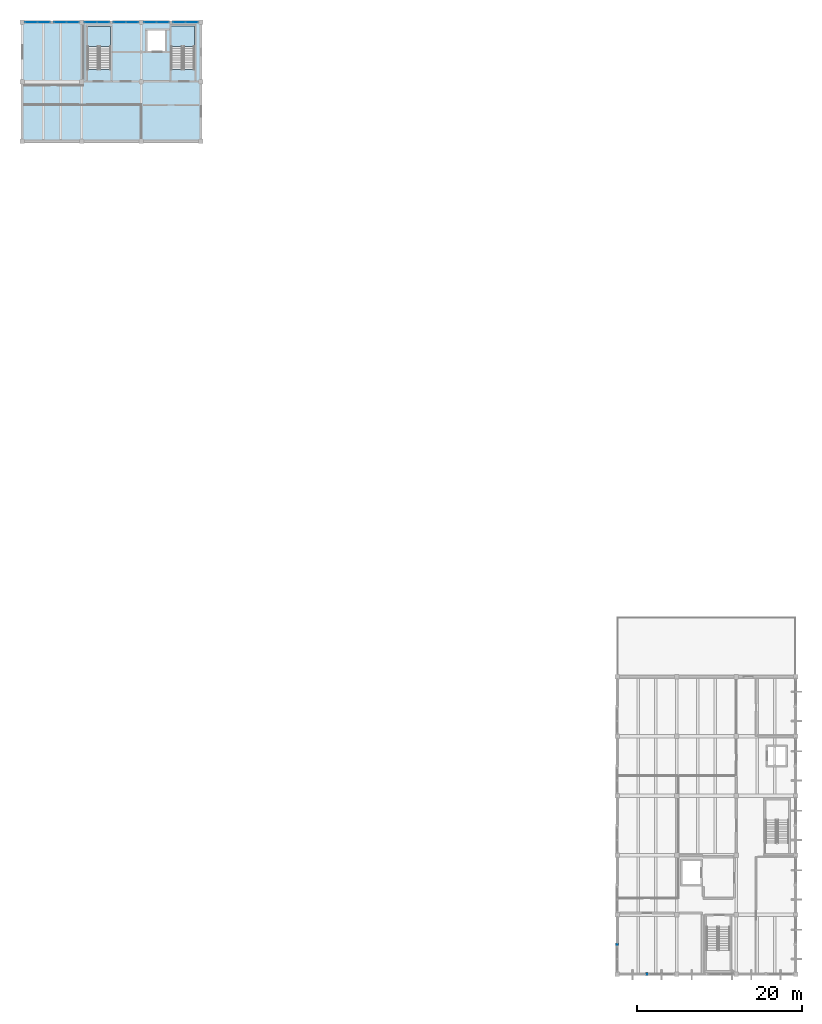
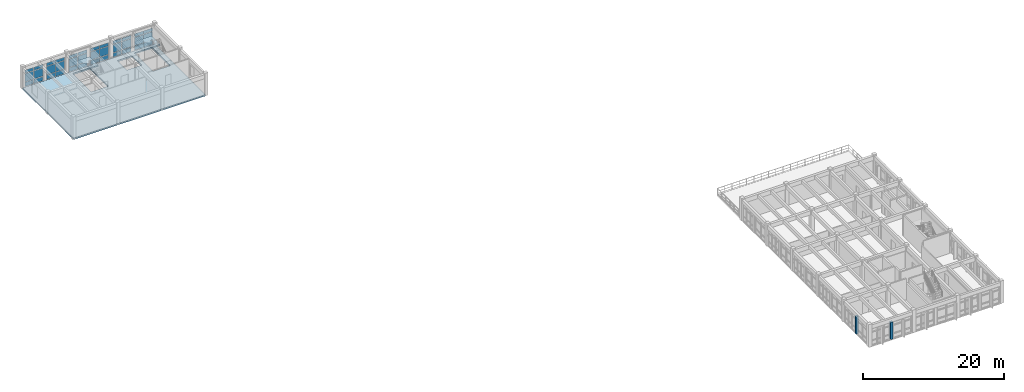
# One storey, part 15 of 22: 36 plates, 3 slabs, 2 walls, 8 elements without a shape of their own.
"""IFC4 building model written with IfcOpenShell, lengths in metres."""

from ifc_helpers import new_model, si_unit, direction, frame, frame_2d, origin, origin_2d, place, context, subcontext, project, spatial, polyline, rectangle, outline, extrude, material, layer, layer_set, type_object, element, aggregate, save


model = new_model("IFC4")

# Units and contexts
model_context = context("Model", 3, precision=1e-05, world=origin(), true_north=direction((0.0, 1.0)))
body_context = subcontext(model_context, "Body", "Model", "MODEL_VIEW")
ifc_project = project(units=[si_unit("LENGTHUNIT", "METRE"), si_unit("AREAUNIT", "SQUARE_METRE"), si_unit("VOLUMEUNIT", "CUBIC_METRE"), si_unit("PLANEANGLEUNIT", "RADIAN"), si_unit("MASSUNIT", "GRAM", prefix="KILO")], contexts=[model_context])

# Site, building, storey
site_placement = place(None, origin())
site = spatial("IfcSite", under=ifc_project, at=site_placement, CompositionType="ELEMENT")
building_placement = place(site_placement, origin())
building = spatial("IfcBuilding", under=site, at=building_placement, Name="Koriwan Promenade Central Fire Station", CompositionType="ELEMENT")
storey_placement = place(building_placement, frame((0.0, 0.0, 17.39990234375)))
storey = spatial("IfcBuildingStorey", under=building, at=storey_placement, Name="L04", CompositionType="ELEMENT", Elevation=17.39990234375)

# Curtain wall, plates
ifc_material_1 = material(Name="Aluminium EN AW-6063-T6 and low-E glazing", Category="aluminium")
ifc_layer_1 = layer(ifc_material_1, 0.159912109375, Name="Aluminium EN AW-6063-T6 and low-E glazing")
ifc_layer_set_1 = layer_set([ifc_layer_1], Name="Aluminium EN AW-6063-T6 and low-E glazing")
curtain_wall_type_1 = type_object("IfcCurtainWallType", Name="CurtainWall_14_312x299", PredefinedType="USERDEFINED", material=ifc_layer_set_1)
curtain_wall_1_placement = place(storey_placement, origin())
curtain_wall_1 = element("IfcCurtainWall", 1, at=curtain_wall_1_placement, inside=storey, type_object=curtain_wall_type_1, Name="V2 L04 unitised curtain wall 040", ObjectType="UNITISED CURTAIN WALL", PredefinedType="USERDEFINED")
ifc_material_2 = material(Name="Low-E laminated double glazing", Category="glass")
ifc_layer_2 = layer(ifc_material_2, 0.028076171875, Name="Low-E laminated double glazing")
ifc_layer_set_2 = layer_set([ifc_layer_2], Name="Low-E laminated double glazing")
plate_type_1 = type_object("IfcPlateType", Name="CWPanel_28", PredefinedType="CURTAIN_PANEL", material=ifc_layer_set_2)
plate_1_placement = place(storey_placement, frame((96.19873046875, 115.199951171875, 0.080078125), z_axis=(0.0, 0.0, 1.0), x_axis=(-1.0, 0.0, 0.0)))
plate_1 = element("IfcPlate", 2, at=plate_1_placement, type_object=plate_type_1, Name="CW-14 panel 1.1", PredefinedType="CURTAIN_PANEL", context=body_context, shape_type="SweptSolid", body=[
    extrude(rectangle(XDim=1.4423828125, YDim=0.028076171875, at=origin_2d()), origin(), (0.0, 0.0, 1.0), 0.72998046875),
])
plate_2_placement = place(storey_placement, frame((96.19873046875, 115.199951171875, 0.89013671875), z_axis=(0.0, 0.0, 1.0), x_axis=(-1.0, 0.0, 0.0)))
plate_2 = element("IfcPlate", 3, at=plate_2_placement, type_object=plate_type_1, Name="CW-14 panel 1.2", PredefinedType="CURTAIN_PANEL", context=body_context, shape_type="SweptSolid", body=[
    extrude(rectangle(XDim=1.4423828125, YDim=0.028076171875, at=origin_2d()), origin(), (0.0, 0.0, 1.0), 1.409912109375),
])
plate_3_placement = place(storey_placement, frame((96.19873046875, 115.199951171875, 2.3798828125), z_axis=(0.0, 0.0, 1.0), x_axis=(-1.0, 0.0, 0.0)))
plate_3 = element("IfcPlate", 4, at=plate_3_placement, type_object=plate_type_1, Name="CW-14 panel 1.3", PredefinedType="CURTAIN_PANEL", context=body_context, shape_type="SweptSolid", body=[
    extrude(rectangle(XDim=1.4423828125, YDim=0.028076171875, at=origin_2d()), origin(), (0.0, 0.0, 1.0), 0.530029296875),
])
plate_4_placement = place(storey_placement, frame((94.67626953125, 115.199951171875, 0.080078125), z_axis=(0.0, 0.0, 1.0), x_axis=(-1.0, 0.0, 0.0)))
plate_4 = element("IfcPlate", 5, at=plate_4_placement, type_object=plate_type_1, Name="CW-14 panel 2.1", PredefinedType="CURTAIN_PANEL", context=body_context, shape_type="SweptSolid", body=[
    extrude(rectangle(XDim=1.4423828125, YDim=0.028076171875, at=origin_2d()), origin(), (0.0, 0.0, 1.0), 0.72998046875),
])
plate_5_placement = place(storey_placement, frame((94.67626953125, 115.199951171875, 0.89013671875), z_axis=(0.0, 0.0, 1.0), x_axis=(-1.0, 0.0, 0.0)))
plate_5 = element("IfcPlate", 6, at=plate_5_placement, type_object=plate_type_1, Name="CW-14 panel 2.2", PredefinedType="CURTAIN_PANEL", context=body_context, shape_type="SweptSolid", body=[
    extrude(rectangle(XDim=1.4423828125, YDim=0.028076171875, at=origin_2d()), origin(), (0.0, 0.0, 1.0), 1.409912109375),
])
plate_6_placement = place(storey_placement, frame((94.67626953125, 115.199951171875, 2.3798828125), z_axis=(0.0, 0.0, 1.0), x_axis=(-1.0, 0.0, 0.0)))
plate_6 = element("IfcPlate", 7, at=plate_6_placement, type_object=plate_type_1, Name="CW-14 panel 2.3", PredefinedType="CURTAIN_PANEL", context=body_context, shape_type="SweptSolid", body=[
    extrude(rectangle(XDim=1.4423828125, YDim=0.028076171875, at=origin_2d()), origin(), (0.0, 0.0, 1.0), 0.530029296875),
])
aggregate(curtain_wall_1, [plate_1, plate_2, plate_3, plate_4, plate_5, plate_6])

curtain_wall_2_placement = place(storey_placement, origin())
curtain_wall_2 = element("IfcCurtainWall", 8, at=curtain_wall_2_placement, inside=storey, type_object=curtain_wall_type_1, Name="V2 L04 unitised curtain wall 042", ObjectType="UNITISED CURTAIN WALL", PredefinedType="USERDEFINED")
plate_7_placement = place(storey_placement, frame((88.998779296875, 115.199951171875, 0.080078125), z_axis=(0.0, 0.0, 1.0), x_axis=(-1.0, 0.0, 0.0)))
plate_7 = element("IfcPlate", 9, at=plate_7_placement, type_object=plate_type_1, Name="CW-14 panel 1.1", PredefinedType="CURTAIN_PANEL", context=body_context, shape_type="SweptSolid", body=[
    extrude(rectangle(XDim=1.4423828125, YDim=0.028076171875, at=origin_2d()), origin(), (0.0, 0.0, 1.0), 0.72998046875),
])
plate_8_placement = place(storey_placement, frame((88.998779296875, 115.199951171875, 0.89013671875), z_axis=(0.0, 0.0, 1.0), x_axis=(-1.0, 0.0, 0.0)))
plate_8 = element("IfcPlate", 10, at=plate_8_placement, type_object=plate_type_1, Name="CW-14 panel 1.2", PredefinedType="CURTAIN_PANEL", context=body_context, shape_type="SweptSolid", body=[
    extrude(rectangle(XDim=1.4423828125, YDim=0.028076171875, at=origin_2d()), origin(), (0.0, 0.0, 1.0), 1.409912109375),
])
plate_9_placement = place(storey_placement, frame((88.998779296875, 115.199951171875, 2.3798828125), z_axis=(0.0, 0.0, 1.0), x_axis=(-1.0, 0.0, 0.0)))
plate_9 = element("IfcPlate", 11, at=plate_9_placement, type_object=plate_type_1, Name="CW-14 panel 1.3", PredefinedType="CURTAIN_PANEL", context=body_context, shape_type="SweptSolid", body=[
    extrude(rectangle(XDim=1.4423828125, YDim=0.028076171875, at=origin_2d()), origin(), (0.0, 0.0, 1.0), 0.530029296875),
])
plate_10_placement = place(storey_placement, frame((87.476318359375, 115.199951171875, 0.080078125), z_axis=(0.0, 0.0, 1.0), x_axis=(-1.0, 0.0, 0.0)))
plate_10 = element("IfcPlate", 12, at=plate_10_placement, type_object=plate_type_1, Name="CW-14 panel 2.1", PredefinedType="CURTAIN_PANEL", context=body_context, shape_type="SweptSolid", body=[
    extrude(rectangle(XDim=1.4423828125, YDim=0.028076171875, at=origin_2d()), origin(), (0.0, 0.0, 1.0), 0.72998046875),
])
plate_11_placement = place(storey_placement, frame((87.476318359375, 115.199951171875, 0.89013671875), z_axis=(0.0, 0.0, 1.0), x_axis=(-1.0, 0.0, 0.0)))
plate_11 = element("IfcPlate", 13, at=plate_11_placement, type_object=plate_type_1, Name="CW-14 panel 2.2", PredefinedType="CURTAIN_PANEL", context=body_context, shape_type="SweptSolid", body=[
    extrude(rectangle(XDim=1.4423828125, YDim=0.028076171875, at=origin_2d()), origin(), (0.0, 0.0, 1.0), 1.409912109375),
])
plate_12_placement = place(storey_placement, frame((87.476318359375, 115.199951171875, 2.3798828125), z_axis=(0.0, 0.0, 1.0), x_axis=(-1.0, 0.0, 0.0)))
plate_12 = element("IfcPlate", 14, at=plate_12_placement, type_object=plate_type_1, Name="CW-14 panel 2.3", PredefinedType="CURTAIN_PANEL", context=body_context, shape_type="SweptSolid", body=[
    extrude(rectangle(XDim=1.4423828125, YDim=0.028076171875, at=origin_2d()), origin(), (0.0, 0.0, 1.0), 0.530029296875),
])
aggregate(curtain_wall_2, [plate_7, plate_8, plate_9, plate_10, plate_11, plate_12])

curtain_wall_3_placement = place(storey_placement, origin())
curtain_wall_3 = element("IfcCurtainWall", 15, at=curtain_wall_3_placement, inside=storey, type_object=curtain_wall_type_1, Name="V2 L04 unitised curtain wall 044", ObjectType="UNITISED CURTAIN WALL", PredefinedType="USERDEFINED")
plate_13_placement = place(storey_placement, frame((81.798828125, 115.199951171875, 0.080078125), z_axis=(0.0, 0.0, 1.0), x_axis=(-1.0, 0.0, 0.0)))
plate_13 = element("IfcPlate", 16, at=plate_13_placement, type_object=plate_type_1, Name="CW-14 panel 1.1", PredefinedType="CURTAIN_PANEL", context=body_context, shape_type="SweptSolid", body=[
    extrude(rectangle(XDim=1.4423828125, YDim=0.028076171875, at=origin_2d()), origin(), (0.0, 0.0, 1.0), 0.72998046875),
])
plate_14_placement = place(storey_placement, frame((81.798828125, 115.199951171875, 0.89013671875), z_axis=(0.0, 0.0, 1.0), x_axis=(-1.0, 0.0, 0.0)))
plate_14 = element("IfcPlate", 17, at=plate_14_placement, type_object=plate_type_1, Name="CW-14 panel 1.2", PredefinedType="CURTAIN_PANEL", context=body_context, shape_type="SweptSolid", body=[
    extrude(rectangle(XDim=1.4423828125, YDim=0.028076171875, at=origin_2d()), origin(), (0.0, 0.0, 1.0), 1.409912109375),
])
plate_15_placement = place(storey_placement, frame((81.798828125, 115.199951171875, 2.3798828125), z_axis=(0.0, 0.0, 1.0), x_axis=(-1.0, 0.0, 0.0)))
plate_15 = element("IfcPlate", 18, at=plate_15_placement, type_object=plate_type_1, Name="CW-14 panel 1.3", PredefinedType="CURTAIN_PANEL", context=body_context, shape_type="SweptSolid", body=[
    extrude(rectangle(XDim=1.4423828125, YDim=0.028076171875, at=origin_2d()), origin(), (0.0, 0.0, 1.0), 0.530029296875),
])
plate_16_placement = place(storey_placement, frame((80.2763671875, 115.199951171875, 0.080078125), z_axis=(0.0, 0.0, 1.0), x_axis=(-1.0, 0.0, 0.0)))
plate_16 = element("IfcPlate", 19, at=plate_16_placement, type_object=plate_type_1, Name="CW-14 panel 2.1", PredefinedType="CURTAIN_PANEL", context=body_context, shape_type="SweptSolid", body=[
    extrude(rectangle(XDim=1.4423828125, YDim=0.028076171875, at=origin_2d()), origin(), (0.0, 0.0, 1.0), 0.72998046875),
])
plate_17_placement = place(storey_placement, frame((80.2763671875, 115.199951171875, 0.89013671875), z_axis=(0.0, 0.0, 1.0), x_axis=(-1.0, 0.0, 0.0)))
plate_17 = element("IfcPlate", 20, at=plate_17_placement, type_object=plate_type_1, Name="CW-14 panel 2.2", PredefinedType="CURTAIN_PANEL", context=body_context, shape_type="SweptSolid", body=[
    extrude(rectangle(XDim=1.4423828125, YDim=0.028076171875, at=origin_2d()), origin(), (0.0, 0.0, 1.0), 1.409912109375),
])
plate_18_placement = place(storey_placement, frame((80.2763671875, 115.199951171875, 2.3798828125), z_axis=(0.0, 0.0, 1.0), x_axis=(-1.0, 0.0, 0.0)))
plate_18 = element("IfcPlate", 21, at=plate_18_placement, type_object=plate_type_1, Name="CW-14 panel 2.3", PredefinedType="CURTAIN_PANEL", context=body_context, shape_type="SweptSolid", body=[
    extrude(rectangle(XDim=1.4423828125, YDim=0.028076171875, at=origin_2d()), origin(), (0.0, 0.0, 1.0), 0.530029296875),
])
aggregate(curtain_wall_3, [plate_13, plate_14, plate_15, plate_16, plate_17, plate_18])

ifc_layer_3 = layer(ifc_material_1, 0.159912109375, Name="Aluminium EN AW-6063-T6 and low-E glazing")
ifc_layer_set_3 = layer_set([ifc_layer_3], Name="Aluminium EN AW-6063-T6 and low-E glazing")
curtain_wall_type_2 = type_object("IfcCurtainWallType", Name="CurtainWall_13_312x299", PredefinedType="USERDEFINED", material=ifc_layer_set_3)
curtain_wall_4_placement = place(storey_placement, origin())
curtain_wall_4 = element("IfcCurtainWall", 22, at=curtain_wall_4_placement, inside=storey, type_object=curtain_wall_type_2, Name="V2 L04 unitised curtain wall 039", ObjectType="UNITISED CURTAIN WALL", PredefinedType="USERDEFINED")
ifc_material_3 = material(Name="Solar-control low-E acoustic glazing", Category="glass")
ifc_layer_4 = layer(ifc_material_3, 0.031982421875, Name="Solar-control low-E acoustic glazing")
ifc_layer_set_4 = layer_set([ifc_layer_4], Name="Solar-control low-E acoustic glazing")
plate_type_2 = type_object("IfcPlateType", Name="CWPanel_32", PredefinedType="CURTAIN_PANEL", material=ifc_layer_set_4)
plate_19_placement = place(storey_placement, frame((99.72509765625, 115.199951171875, 0.0751953125), z_axis=(0.0, 0.0, 1.0), x_axis=(-1.0, 0.0, 0.0)))
plate_19 = element("IfcPlate", 23, at=plate_19_placement, type_object=plate_type_2, Name="CW-13 panel 1.1", PredefinedType="CURTAIN_PANEL", context=body_context, shape_type="SweptSolid", body=[
    extrude(rectangle(XDim=1.449951171875, YDim=0.031982421875, at=origin_2d()), origin(), (0.0, 0.0, 1.0), 0.737548828125),
])
plate_20_placement = place(storey_placement, frame((99.72509765625, 115.199951171875, 0.8876953125), z_axis=(0.0, 0.0, 1.0), x_axis=(-1.0, 0.0, 0.0)))
plate_20 = element("IfcPlate", 24, at=plate_20_placement, type_object=plate_type_2, Name="CW-13 panel 1.2", PredefinedType="CURTAIN_PANEL", context=body_context, shape_type="SweptSolid", body=[
    extrude(rectangle(XDim=1.449951171875, YDim=0.031982421875, at=origin_2d()), origin(), (0.0, 0.0, 1.0), 1.4150390625),
])
plate_21_placement = place(storey_placement, frame((99.72509765625, 115.199951171875, 2.37744140625), z_axis=(0.0, 0.0, 1.0), x_axis=(-1.0, 0.0, 0.0)))
plate_21 = element("IfcPlate", 25, at=plate_21_placement, type_object=plate_type_2, Name="CW-13 panel 1.3", PredefinedType="CURTAIN_PANEL", context=body_context, shape_type="SweptSolid", body=[
    extrude(rectangle(XDim=1.449951171875, YDim=0.031982421875, at=origin_2d()), origin(), (0.0, 0.0, 1.0), 0.53759765625),
])
plate_22_placement = place(storey_placement, frame((98.199951171875, 115.199951171875, 0.0751953125), z_axis=(0.0, 0.0, 1.0), x_axis=(-1.0, 0.0, 0.0)))
plate_22 = element("IfcPlate", 26, at=plate_22_placement, type_object=plate_type_2, Name="CW-13 panel 2.1", PredefinedType="CURTAIN_PANEL", context=body_context, shape_type="SweptSolid", body=[
    extrude(rectangle(XDim=1.449951171875, YDim=0.031982421875, at=origin_2d()), origin(), (0.0, 0.0, 1.0), 0.737548828125),
])
plate_23_placement = place(storey_placement, frame((98.199951171875, 115.199951171875, 0.8876953125), z_axis=(0.0, 0.0, 1.0), x_axis=(-1.0, 0.0, 0.0)))
plate_23 = element("IfcPlate", 27, at=plate_23_placement, type_object=plate_type_2, Name="CW-13 panel 2.2", PredefinedType="CURTAIN_PANEL", context=body_context, shape_type="SweptSolid", body=[
    extrude(rectangle(XDim=1.449951171875, YDim=0.031982421875, at=origin_2d()), origin(), (0.0, 0.0, 1.0), 1.4150390625),
])
plate_24_placement = place(storey_placement, frame((98.199951171875, 115.199951171875, 2.37744140625), z_axis=(0.0, 0.0, 1.0), x_axis=(-1.0, 0.0, 0.0)))
plate_24 = element("IfcPlate", 28, at=plate_24_placement, type_object=plate_type_2, Name="CW-13 panel 2.3", PredefinedType="CURTAIN_PANEL", context=body_context, shape_type="SweptSolid", body=[
    extrude(rectangle(XDim=1.449951171875, YDim=0.031982421875, at=origin_2d()), origin(), (0.0, 0.0, 1.0), 0.53759765625),
])
aggregate(curtain_wall_4, [plate_19, plate_20, plate_21, plate_22, plate_23, plate_24])

curtain_wall_5_placement = place(storey_placement, origin())
curtain_wall_5 = element("IfcCurtainWall", 29, at=curtain_wall_5_placement, inside=storey, type_object=curtain_wall_type_2, Name="V2 L04 unitised curtain wall 041", ObjectType="UNITISED CURTAIN WALL", PredefinedType="USERDEFINED")
plate_25_placement = place(storey_placement, frame((92.52490234375, 115.199951171875, 0.0751953125), z_axis=(0.0, 0.0, 1.0), x_axis=(-1.0, 0.0, 0.0)))
plate_25 = element("IfcPlate", 30, at=plate_25_placement, type_object=plate_type_2, Name="CW-13 panel 1.1", PredefinedType="CURTAIN_PANEL", context=body_context, shape_type="SweptSolid", body=[
    extrude(rectangle(XDim=1.449951171875, YDim=0.031982421875, at=origin_2d()), origin(), (0.0, 0.0, 1.0), 0.737548828125),
])
plate_26_placement = place(storey_placement, frame((92.52490234375, 115.199951171875, 0.8876953125), z_axis=(0.0, 0.0, 1.0), x_axis=(-1.0, 0.0, 0.0)))
plate_26 = element("IfcPlate", 31, at=plate_26_placement, type_object=plate_type_2, Name="CW-13 panel 1.2", PredefinedType="CURTAIN_PANEL", context=body_context, shape_type="SweptSolid", body=[
    extrude(rectangle(XDim=1.449951171875, YDim=0.031982421875, at=origin_2d()), origin(), (0.0, 0.0, 1.0), 1.4150390625),
])
plate_27_placement = place(storey_placement, frame((92.52490234375, 115.199951171875, 2.37744140625), z_axis=(0.0, 0.0, 1.0), x_axis=(-1.0, 0.0, 0.0)))
plate_27 = element("IfcPlate", 32, at=plate_27_placement, type_object=plate_type_2, Name="CW-13 panel 1.3", PredefinedType="CURTAIN_PANEL", context=body_context, shape_type="SweptSolid", body=[
    extrude(rectangle(XDim=1.449951171875, YDim=0.031982421875, at=origin_2d()), origin(), (0.0, 0.0, 1.0), 0.53759765625),
])
plate_28_placement = place(storey_placement, frame((91.0, 115.199951171875, 0.0751953125), z_axis=(0.0, 0.0, 1.0), x_axis=(-1.0, 0.0, 0.0)))
plate_28 = element("IfcPlate", 33, at=plate_28_placement, type_object=plate_type_2, Name="CW-13 panel 2.1", PredefinedType="CURTAIN_PANEL", context=body_context, shape_type="SweptSolid", body=[
    extrude(rectangle(XDim=1.449951171875, YDim=0.031982421875, at=origin_2d()), origin(), (0.0, 0.0, 1.0), 0.737548828125),
])
plate_29_placement = place(storey_placement, frame((91.0, 115.199951171875, 0.8876953125), z_axis=(0.0, 0.0, 1.0), x_axis=(-1.0, 0.0, 0.0)))
plate_29 = element("IfcPlate", 34, at=plate_29_placement, type_object=plate_type_2, Name="CW-13 panel 2.2", PredefinedType="CURTAIN_PANEL", context=body_context, shape_type="SweptSolid", body=[
    extrude(rectangle(XDim=1.449951171875, YDim=0.031982421875, at=origin_2d()), origin(), (0.0, 0.0, 1.0), 1.4150390625),
])
plate_30_placement = place(storey_placement, frame((91.0, 115.199951171875, 2.37744140625), z_axis=(0.0, 0.0, 1.0), x_axis=(-1.0, 0.0, 0.0)))
plate_30 = element("IfcPlate", 35, at=plate_30_placement, type_object=plate_type_2, Name="CW-13 panel 2.3", PredefinedType="CURTAIN_PANEL", context=body_context, shape_type="SweptSolid", body=[
    extrude(rectangle(XDim=1.449951171875, YDim=0.031982421875, at=origin_2d()), origin(), (0.0, 0.0, 1.0), 0.53759765625),
])
aggregate(curtain_wall_5, [plate_25, plate_26, plate_27, plate_28, plate_29, plate_30])

curtain_wall_6_placement = place(storey_placement, origin())
curtain_wall_6 = element("IfcCurtainWall", 36, at=curtain_wall_6_placement, inside=storey, type_object=curtain_wall_type_2, Name="V2 L04 unitised curtain wall 043", ObjectType="UNITISED CURTAIN WALL", PredefinedType="USERDEFINED")
plate_31_placement = place(storey_placement, frame((85.324951171875, 115.199951171875, 0.0751953125), z_axis=(0.0, 0.0, 1.0), x_axis=(-1.0, 0.0, 0.0)))
plate_31 = element("IfcPlate", 37, at=plate_31_placement, type_object=plate_type_2, Name="CW-13 panel 1.1", PredefinedType="CURTAIN_PANEL", context=body_context, shape_type="SweptSolid", body=[
    extrude(rectangle(XDim=1.449951171875, YDim=0.031982421875, at=origin_2d()), origin(), (0.0, 0.0, 1.0), 0.737548828125),
])
plate_32_placement = place(storey_placement, frame((85.324951171875, 115.199951171875, 0.8876953125), z_axis=(0.0, 0.0, 1.0), x_axis=(-1.0, 0.0, 0.0)))
plate_32 = element("IfcPlate", 38, at=plate_32_placement, type_object=plate_type_2, Name="CW-13 panel 1.2", PredefinedType="CURTAIN_PANEL", context=body_context, shape_type="SweptSolid", body=[
    extrude(rectangle(XDim=1.449951171875, YDim=0.031982421875, at=origin_2d()), origin(), (0.0, 0.0, 1.0), 1.4150390625),
])
plate_33_placement = place(storey_placement, frame((85.324951171875, 115.199951171875, 2.37744140625), z_axis=(0.0, 0.0, 1.0), x_axis=(-1.0, 0.0, 0.0)))
plate_33 = element("IfcPlate", 39, at=plate_33_placement, type_object=plate_type_2, Name="CW-13 panel 1.3", PredefinedType="CURTAIN_PANEL", context=body_context, shape_type="SweptSolid", body=[
    extrude(rectangle(XDim=1.449951171875, YDim=0.031982421875, at=origin_2d()), origin(), (0.0, 0.0, 1.0), 0.53759765625),
])
plate_34_placement = place(storey_placement, frame((83.800048828125, 115.199951171875, 0.0751953125), z_axis=(0.0, 0.0, 1.0), x_axis=(-1.0, 0.0, 0.0)))
plate_34 = element("IfcPlate", 40, at=plate_34_placement, type_object=plate_type_2, Name="CW-13 panel 2.1", PredefinedType="CURTAIN_PANEL", context=body_context, shape_type="SweptSolid", body=[
    extrude(rectangle(XDim=1.449951171875, YDim=0.031982421875, at=origin_2d()), origin(), (0.0, 0.0, 1.0), 0.737548828125),
])
plate_35_placement = place(storey_placement, frame((83.800048828125, 115.199951171875, 0.8876953125), z_axis=(0.0, 0.0, 1.0), x_axis=(-1.0, 0.0, 0.0)))
plate_35 = element("IfcPlate", 41, at=plate_35_placement, type_object=plate_type_2, Name="CW-13 panel 2.2", PredefinedType="CURTAIN_PANEL", context=body_context, shape_type="SweptSolid", body=[
    extrude(rectangle(XDim=1.449951171875, YDim=0.031982421875, at=origin_2d()), origin(), (0.0, 0.0, 1.0), 1.4150390625),
])
plate_36_placement = place(storey_placement, frame((83.800048828125, 115.199951171875, 2.37744140625), z_axis=(0.0, 0.0, 1.0), x_axis=(-1.0, 0.0, 0.0)))
plate_36 = element("IfcPlate", 42, at=plate_36_placement, type_object=plate_type_2, Name="CW-13 panel 2.3", PredefinedType="CURTAIN_PANEL", context=body_context, shape_type="SweptSolid", body=[
    extrude(rectangle(XDim=1.449951171875, YDim=0.031982421875, at=origin_2d()), origin(), (0.0, 0.0, 1.0), 0.53759765625),
])
aggregate(curtain_wall_6, [plate_31, plate_32, plate_33, plate_34, plate_35, plate_36])

# Slab
ifc_material_4 = material(Name="Concrete C35/45", Category="concrete")
ifc_layer_5 = layer(ifc_material_4, 0.25, Name="Concrete C35/45")
ifc_layer_set_5 = layer_set([ifc_layer_5], Name="Concrete C35/45")
slab_type_1 = type_object("IfcSlabType", Name="FloorSlab_250", PredefinedType="FLOOR", material=ifc_layer_set_5)
slab_1_placement = place(storey_placement, frame((0.0, 0.0, -0.25)))
element("IfcSlab", 43, at=slab_1_placement, inside=storey, type_object=slab_type_1, Name="V2 L04 structural slab 1", PredefinedType="FLOOR", context=body_context, shape_type="SweptSolid", body=[
    extrude(outline(polyline([(100.800048828125, 115.199951171875), (100.800048828125, 100.800048828125), (79.199951171875, 100.800048828125), (79.199951171875, 115.199951171875), (100.800048828125, 115.199951171875)]), holes=[polyline([(97.219970703125, 109.491943359375), (100.050048828125, 109.491943359375), (100.050048828125, 114.75), (97.219970703125, 114.75), (97.219970703125, 109.491943359375)]), polyline([(87.110107421875, 114.7099609375), (87.110107421875, 109.471923828125), (89.89990234375, 109.471923828125), (89.89990234375, 114.7099609375), (87.110107421875, 114.7099609375)]), polyline([(94.199951171875, 114.300048828125), (94.199951171875, 111.60009765625), (96.60009765625, 111.60009765625), (96.60009765625, 114.300048828125), (94.199951171875, 114.300048828125)])]), origin(), (0.0, 0.0, 1.0), 0.25),
])

# Stair, slab
stair_type_1 = type_object("IfcStairType", Name="Stair_HALF_22R_1340", PredefinedType="HALF_TURN_STAIR", material=ifc_material_4)
stair_1_placement = place(storey_placement, origin())
stair_1 = element("IfcStair", 44, at=stair_1_placement, inside=storey, type_object=stair_type_1, Name="L04 Protected Stair ST04", PredefinedType="HALF_TURN_STAIR")
ifc_layer_6 = layer(ifc_material_4, 0.199951171875, Name="Concrete C35/45")
ifc_layer_set_6 = layer_set([ifc_layer_6], Name="Concrete C35/45")
slab_type_2 = type_object("IfcSlabType", Name="StairLanding_200", PredefinedType="LANDING", material=ifc_layer_set_6)
slab_2_placement = place(storey_placement, frame((0.0, 0.0, 1.75)))
slab_2 = element("IfcSlab", 45, at=slab_2_placement, type_object=slab_type_2, Name="ST04 landing 1", PredefinedType="LANDING", context=body_context, shape_type="SweptSolid", body=[
    extrude(outline(polyline([(100.050048828125, 112.2900390625), (100.050048828125, 114.75), (97.219970703125, 114.75), (97.219970703125, 112.2900390625), (100.050048828125, 112.2900390625)])), origin(), (0.0, 0.0, 1.0), 0.2001953125),
])
aggregate(stair_1, [slab_2])

stair_type_2 = type_object("IfcStairType", Name="Stair_HALF_22R_1320", PredefinedType="HALF_TURN_STAIR", material=ifc_material_4)
stair_2_placement = place(storey_placement, origin())
stair_2 = element("IfcStair", 46, at=stair_2_placement, inside=storey, type_object=stair_type_2, Name="L04 Protected Stair ST09", PredefinedType="HALF_TURN_STAIR")
slab_3_placement = place(storey_placement, frame((0.0, 0.0, 1.75)))
slab_3 = element("IfcSlab", 47, at=slab_3_placement, type_object=slab_type_2, Name="ST09 landing 1", PredefinedType="LANDING", context=body_context, shape_type="SweptSolid", body=[
    extrude(outline(polyline([(89.89990234375, 112.27001953125), (89.89990234375, 114.7099609375), (87.110107421875, 114.7099609375), (87.110107421875, 112.27001953125), (89.89990234375, 112.27001953125)])), origin(), (0.0, 0.0, 1.0), 0.2001953125),
])
aggregate(stair_2, [slab_3])

# Walls
ifc_material_5 = material(Name="Natural sillar sandstone ashlar", Category="masonry")
ifc_layer_7 = layer(ifc_material_5, 0.360107421875, Name="Natural sillar sandstone ashlar")
ifc_layer_set_7 = layer_set([ifc_layer_7], Name="Natural sillar sandstone ashlar")
wall_type = type_object("IfcWallType", Name="ExtWall_SillarBase_360", PredefinedType="SOLIDWALL", material=ifc_layer_set_7)
wall_1_placement = place(storey_placement, frame((151.199951171875, 3.800048828125, 0.0), z_axis=(0.0, 0.0, 1.0), x_axis=(0.0, -1.0, 0.0)))
element("IfcWall", 48, at=wall_1_placement, inside=storey, type_object=wall_type, Name="V5 L04 sillar facade mullion pier 317", PredefinedType="SOLIDWALL", context=body_context, shape_type="SweptSolid", body=[
    extrude(rectangle(XDim=0.400146484375, YDim=0.360107421875, at=frame_2d((0.2001953125, 0.0))), origin(), (0.0, 0.0, 1.0), 3.010009765625),
])
wall_2_placement = place(storey_placement, frame((154.60009765625, 0.0, 0.0), z_axis=(0.0, 0.0, 1.0), x_axis=(1.0, 0.0, 0.0)))
element("IfcWall", 49, at=wall_2_placement, inside=storey, type_object=wall_type, Name="V5 L04 sillar facade mullion pier 318", PredefinedType="SOLIDWALL", context=body_context, shape_type="SweptSolid", body=[
    extrude(rectangle(XDim=0.39990234375, YDim=0.360107421875, at=frame_2d((0.199951171875, 0.0))), origin(), (0.0, 0.0, 1.0), 2.960205078125),
])

save(model, "model.ifc")
